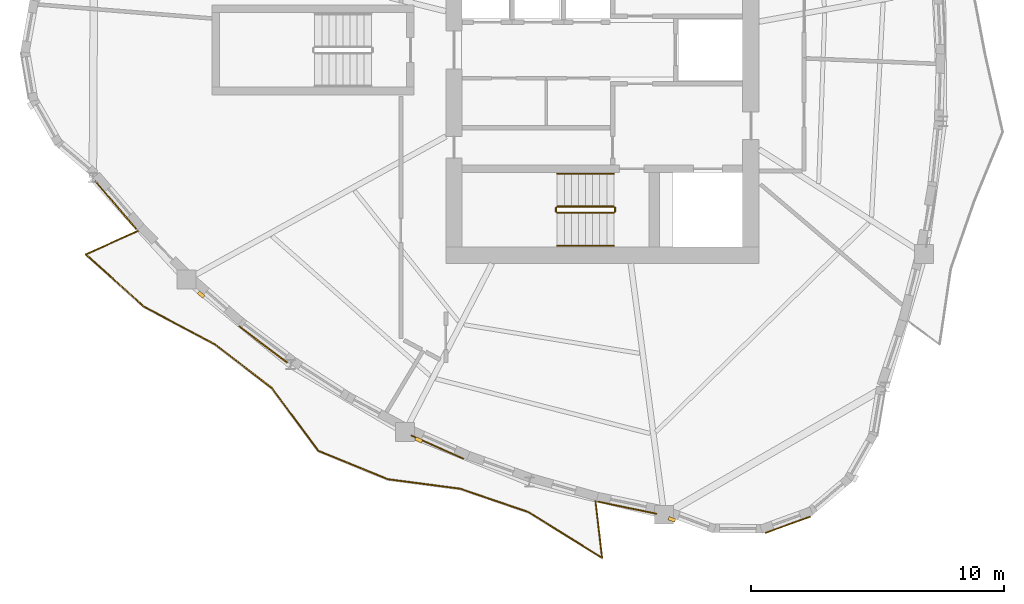
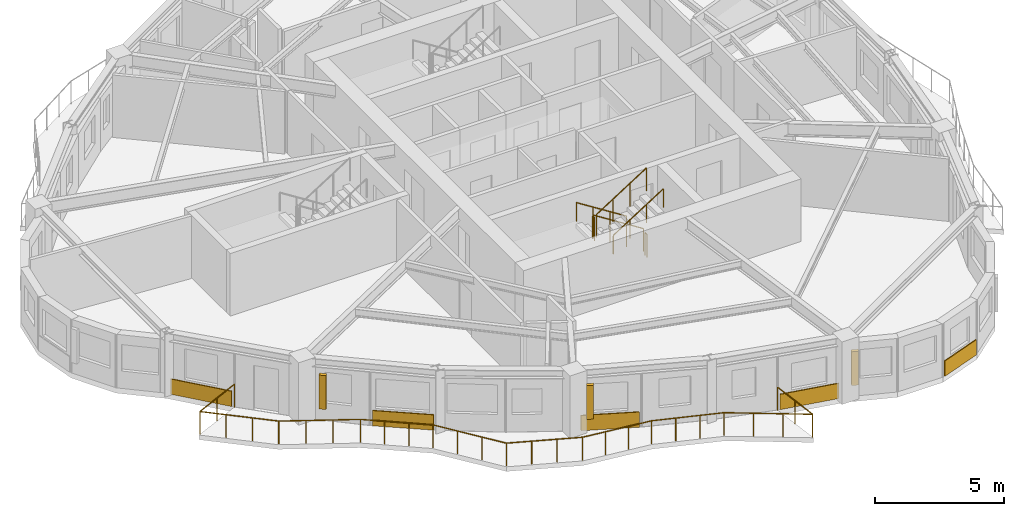
# One storey, part 8 of 11: 7 railings, 5 coverings, 3 shading devices.
"""IFC4 building model written with IfcOpenShell, lengths in metres."""

from ifc_helpers import new_model, si_unit, direction, frame, origin, origin_2d, place, context, subcontext, project, spatial, rectangle, circle, extrude, source, transform, mapped, material, layer, layer_set, type_object, element, save


model = new_model("IFC4")

# Units and contexts
model_context = context("Model", 3, precision=1e-05, world=origin(), true_north=direction((0.0, 1.0)))
body_context = subcontext(model_context, "Body", "Model", "MODEL_VIEW")
ifc_project = project(units=[si_unit("LENGTHUNIT", "METRE"), si_unit("AREAUNIT", "SQUARE_METRE"), si_unit("VOLUMEUNIT", "CUBIC_METRE"), si_unit("PLANEANGLEUNIT", "RADIAN"), si_unit("MASSUNIT", "GRAM", prefix="KILO")], contexts=[model_context])

# Site, building, storey
site_placement = place(None, origin())
site = spatial("IfcSite", under=ifc_project, at=site_placement, CompositionType="ELEMENT")
building_placement = place(site_placement, origin())
building = spatial("IfcBuilding", under=site, at=building_placement, Name="Qafzar Sky-Pleat Residences", CompositionType="ELEMENT")
storey_placement = place(building_placement, frame((0.0, 0.0, 165.0)))
storey = spatial("IfcBuildingStorey", under=building, at=storey_placement, Name="L49", CompositionType="ELEMENT", Elevation=165.0)

# Shading devices
ifc_material_1 = material(Name="Honed Riyadh limestone solar fin", Category="masonry")
ifc_layer_1 = layer(ifc_material_1, 0.139892578125)
ifc_layer_set_1 = layer_set([ifc_layer_1], Name="Honed Riyadh limestone solar fin")
shading_device_type = type_object("IfcShadingDeviceType", Name="SHD-FIN-STONE", PredefinedType="SHUTTER", material=ifc_layer_set_1)
shared_shape_1 = source(origin(), body_context, "Body", "SweptSolid", [
    extrude(rectangle(XDim=0.139892578125, YDim=0.280029296875, at=origin_2d()), origin(), (0.0, 0.0, 1.0), 1.60009765625),
])
for number, where, z_axis, x_axis, name in (
    (1, (14.465576171875, 16.3134765625, 0.599853515625), (0.0, 0.0, 1.0), (-0.660161310777, -0.751123853804, 0.0), "L49 Limestone Solar Fin 9"),
    (2, (23.079833984375, 10.56201171875, 0.599853515625), (0.0, 0.0, 1.0), (-0.407531944701, -0.91319095158, 0.0), "L49 Limestone Solar Fin 13"),
    (3, (33.09765625, 7.418212890625, 0.599853515625), (0.0, 0.0, 1.0), (-0.349591808799, -0.936902111867, 0.0), "L49 Limestone Solar Fin 17"),
):
    element("IfcShadingDevice", number, at=place(storey_placement, frame(where, z_axis=z_axis, x_axis=x_axis)), inside=storey, type_object=shading_device_type, Name=name, PredefinedType="SHUTTER", context=body_context, shape_type="MappedRepresentation", body=[
        mapped(shared_shape_1, transform((0.0, 0.0, 0.0), x_axis=(1.0, 0.0, 0.0), y_axis=(0.0, 1.0, 0.0), z_axis=(0.0, 0.0, 1.0), scale=1.0)),
    ])

# Covering
ifc_material_2 = material(Name="Honed Riyadh Tuwaiq limestone cladding", Category="masonry")
ifc_layer_2 = layer(ifc_material_2, 0.044921875)
ifc_layer_set_2 = layer_set([ifc_layer_2], Name="Honed Riyadh Tuwaiq limestone cladding")
covering_type = type_object("IfcCoveringType", Name="COV-CLAD-STONE", PredefinedType="CLADDING", material=ifc_layer_set_2)
shared_shape_2 = source(origin(), body_context, "Body", "SweptSolid", [
    extrude(rectangle(XDim=1.89794921875, YDim=0.044921875, at=origin_2d()), origin(), (0.0, 0.0, 1.0), 0.719970703125),
])
covering_1_placement = place(storey_placement, frame((37.690185546875, 7.207275390625, 0.02001953125), z_axis=(0.0, 0.0, 1.0), x_axis=(0.940231559433, 0.340535775867, 0.0)))
element("IfcCovering", 4, at=covering_1_placement, inside=storey, type_object=covering_type, Name="L49 Riyadh Limestone Spandrel Cladding 19", PredefinedType="CLADDING", context=body_context, shape_type="MappedRepresentation", body=[
    mapped(shared_shape_2, transform((0.0, 0.0, 0.0), x_axis=(1.0, 0.0, 0.0), y_axis=(0.0, 1.0, 0.0), z_axis=(0.0, 0.0, 1.0), scale=1.0)),
])

# Railing
ifc_material_3 = material(Name="Laminated glass and bronze steel balustrade", Category="steel")
railing_type_1 = type_object("IfcRailingType", Name="RAIL-BAL-1100", PredefinedType="BALUSTRADE", material=ifc_material_3)
shared_shape_3 = source(origin(), body_context, "Body", "SweptSolid", [
    extrude(circle(Radius=0.02392578125, at=origin_2d()), frame((0.0, 0.0, 1.076171875), z_axis=(-0.912922636526, -0.408132649659, 0.0), x_axis=(0.408132649659, -0.912922636526, 0.0)), (0.0, 0.0, 1.0), 2.270751953125),
    extrude(circle(Radius=0.02392578125, at=origin_2d()), frame((-2.072998046875, -0.9267578125, 1.076171875), z_axis=(0.743753716081, -0.668453745458, 0.0), x_axis=(0.668453745458, 0.743753716081, 0.0)), (0.0, 0.0, 1.0), 3.11572265625),
    extrude(circle(Radius=0.02392578125, at=origin_2d()), frame((0.244384765625, -3.009521484375, 1.076171875), z_axis=(0.883585037441, -0.468270735376, 0.0), x_axis=(0.468270735376, 0.883585037441, 0.0)), (0.0, 0.0, 1.0), 3.16259765625),
    extrude(circle(Radius=0.02392578125, at=origin_2d()), frame((3.038818359375, -4.490478515625, 1.076171875), z_axis=(0.793401199047, -0.608699053187, 0.0), x_axis=(0.608699053187, 0.793401199047, 0.0)), (0.0, 0.0, 1.0), 2.835205078125),
    extrude(circle(Radius=0.02392578125, at=origin_2d()), frame((5.288330078125, -6.21630859375, 1.076171875), z_axis=(0.594930822966, -0.803776906788, 0.0), x_axis=(0.803776906788, 0.594930822966, 0.0)), (0.0, 0.0, 1.0), 3.089599609375),
    extrude(circle(Radius=0.02392578125, at=origin_2d()), frame((7.12646484375, -8.69970703125, 1.076171875), z_axis=(0.925110963118, -0.379696860561, 0.0), x_axis=(0.379696860561, 0.925110963118, 0.0)), (0.0, 0.0, 1.0), 2.974365234375),
    extrude(circle(Radius=0.02392578125, at=origin_2d()), frame((9.878173828125, -9.8291015625, 1.076171875), z_axis=(0.991578756407, -0.129505095813, 0.0), x_axis=(0.129505095813, 0.991578756407, 0.0)), (0.0, 0.0, 1.0), 2.893798828125),
    extrude(circle(Radius=0.02392578125, at=origin_2d()), frame((12.74755859375, -10.203857421875, 1.076171875), z_axis=(0.945899410668, -0.324460020493, 0.0), x_axis=(0.324460020493, 0.945899410668, 0.0)), (0.0, 0.0, 1.0), 2.851806640625),
    extrude(circle(Radius=0.02392578125, at=origin_2d()), frame((15.445068359375, -11.129150390625, 1.076171875), z_axis=(0.849532496747, -0.52753628972, 0.0), x_axis=(0.52753628972, 0.849532496747, 0.0)), (0.0, 0.0, 1.0), 3.433837890625),
    extrude(circle(Radius=0.02392578125, at=origin_2d()), frame((18.3623046875, -12.940673828125, 1.076171875), z_axis=(-0.11536270651, 0.993323434711, 0.0), x_axis=(-0.993323434711, -0.11536270651, 0.0)), (0.0, 0.0, 1.0), 2.270751953125),
    extrude(circle(Radius=0.02099609375, at=origin_2d()), origin(), (0.0, 0.0, 1.0), 1.052001953125),
    extrude(circle(Radius=0.02099609375, at=origin_2d()), frame((-1.03662109375, -0.46337890625, 0.0)), (0.0, 0.0, 1.0), 1.052001953125),
    extrude(circle(Radius=0.02099609375, at=origin_2d()), frame((-2.072998046875, -0.9267578125, 0.0)), (0.0, 0.0, 1.0), 1.052001953125),
    extrude(circle(Radius=0.02099609375, at=origin_2d()), frame((-1.300537109375, -1.62109375, 0.0)), (0.0, 0.0, 1.0), 1.052001953125),
    extrude(circle(Radius=0.02099609375, at=origin_2d()), frame((-0.528076171875, -2.315185546875, 0.0)), (0.0, 0.0, 1.0), 1.052001953125),
    extrude(circle(Radius=0.02099609375, at=origin_2d()), frame((0.244384765625, -3.009521484375, 0.0)), (0.0, 0.0, 1.0), 1.052001953125),
    extrude(circle(Radius=0.02099609375, at=origin_2d()), frame((1.17578125, -3.503173828125, 0.0)), (0.0, 0.0, 1.0), 1.052001953125),
    extrude(circle(Radius=0.02099609375, at=origin_2d()), frame((2.107421875, -3.996826171875, 0.0)), (0.0, 0.0, 1.0), 1.052001953125),
    extrude(circle(Radius=0.02099609375, at=origin_2d()), frame((3.038818359375, -4.490478515625, 0.0)), (0.0, 0.0, 1.0), 1.052001953125),
    extrude(circle(Radius=0.02099609375, at=origin_2d()), frame((3.78857421875, -5.065673828125, 0.0)), (0.0, 0.0, 1.0), 1.052001953125),
    extrude(circle(Radius=0.02099609375, at=origin_2d()), frame((4.53857421875, -5.64111328125, 0.0)), (0.0, 0.0, 1.0), 1.052001953125),
    extrude(circle(Radius=0.02099609375, at=origin_2d()), frame((5.288330078125, -6.21630859375, 0.0)), (0.0, 0.0, 1.0), 1.052001953125),
    extrude(circle(Radius=0.02099609375, at=origin_2d()), frame((5.901123046875, -7.044189453125, 0.0)), (0.0, 0.0, 1.0), 1.052001953125),
    extrude(circle(Radius=0.02099609375, at=origin_2d()), frame((6.513671875, -7.871826171875, 0.0)), (0.0, 0.0, 1.0), 1.052001953125),
    extrude(circle(Radius=0.02099609375, at=origin_2d()), frame((7.12646484375, -8.69970703125, 0.0)), (0.0, 0.0, 1.0), 1.052001953125),
    extrude(circle(Radius=0.02099609375, at=origin_2d()), frame((8.043701171875, -9.076171875, 0.0)), (0.0, 0.0, 1.0), 1.052001953125),
    extrude(circle(Radius=0.02099609375, at=origin_2d()), frame((8.9609375, -9.45263671875, 0.0)), (0.0, 0.0, 1.0), 1.052001953125),
    extrude(circle(Radius=0.02099609375, at=origin_2d()), frame((9.878173828125, -9.8291015625, 0.0)), (0.0, 0.0, 1.0), 1.052001953125),
    extrude(circle(Radius=0.02099609375, at=origin_2d()), frame((10.834716796875, -9.9541015625, 0.0)), (0.0, 0.0, 1.0), 1.052001953125),
    extrude(circle(Radius=0.02099609375, at=origin_2d()), frame((11.791015625, -10.078857421875, 0.0)), (0.0, 0.0, 1.0), 1.052001953125),
    extrude(circle(Radius=0.02099609375, at=origin_2d()), frame((12.74755859375, -10.203857421875, 0.0)), (0.0, 0.0, 1.0), 1.052001953125),
    extrude(circle(Radius=0.02099609375, at=origin_2d()), frame((13.646728515625, -10.51220703125, 0.0)), (0.0, 0.0, 1.0), 1.052001953125),
    extrude(circle(Radius=0.02099609375, at=origin_2d()), frame((14.5458984375, -10.82080078125, 0.0)), (0.0, 0.0, 1.0), 1.052001953125),
    extrude(circle(Radius=0.02099609375, at=origin_2d()), frame((15.445068359375, -11.129150390625, 0.0)), (0.0, 0.0, 1.0), 1.052001953125),
    extrude(circle(Radius=0.02099609375, at=origin_2d()), frame((16.41748046875, -11.73291015625, 0.0)), (0.0, 0.0, 1.0), 1.052001953125),
    extrude(circle(Radius=0.02099609375, at=origin_2d()), frame((17.389892578125, -12.3369140625, 0.0)), (0.0, 0.0, 1.0), 1.052001953125),
    extrude(circle(Radius=0.02099609375, at=origin_2d()), frame((18.3623046875, -12.940673828125, 0.0)), (0.0, 0.0, 1.0), 1.052001953125),
    extrude(circle(Radius=0.02099609375, at=origin_2d()), frame((18.2314453125, -11.81298828125, 0.0)), (0.0, 0.0, 1.0), 1.052001953125),
    extrude(circle(Radius=0.02099609375, at=origin_2d()), frame((18.100341796875, -10.68505859375, 0.0)), (0.0, 0.0, 1.0), 1.052001953125),
])
railing_1_placement = place(storey_placement, frame((11.973388671875, 18.8369140625, 0.0)))
element("IfcRailing", 5, at=railing_1_placement, inside=storey, type_object=railing_type_1, Name="L49 Pleated Balcony 3 Balustrade", PredefinedType="BALUSTRADE", context=body_context, shape_type="MappedRepresentation", body=[
    mapped(shared_shape_3, transform((0.0, 0.0, 0.0), x_axis=(1.0, 0.0, 0.0), y_axis=(0.0, 1.0, 0.0), z_axis=(0.0, 0.0, 1.0), scale=1.0)),
])

# Coverings
shared_shape_4 = source(origin(), body_context, "Body", "SweptSolid", [
    extrude(rectangle(XDim=2.513671875, YDim=0.044921875, at=origin_2d()), origin(), (0.0, 0.0, 1.0), 0.719970703125),
])
covering_2_placement = place(storey_placement, frame((11.08447265625, 19.859375, 0.02001953125), z_axis=(0.0, 0.0, 1.0), x_axis=(0.650295858087, -0.75968104949, 0.0)))
element("IfcCovering", 6, at=covering_2_placement, inside=storey, type_object=covering_type, Name="L49 Riyadh Limestone Spandrel Cladding 7", PredefinedType="CLADDING", context=body_context, shape_type="MappedRepresentation", body=[
    mapped(shared_shape_4, transform((0.0, 0.0, 0.0), x_axis=(1.0, 0.0, 0.0), y_axis=(0.0, 1.0, 0.0), z_axis=(0.0, 0.0, 1.0), scale=1.0)),
])
shared_shape_5 = source(origin(), body_context, "Body", "SweptSolid", [
    extrude(rectangle(XDim=2.39453125, YDim=0.044921875, at=origin_2d()), origin(), (0.0, 0.0, 1.0), 0.719970703125),
])
covering_3_placement = place(storey_placement, frame((16.915771484375, 14.344970703125, 0.02001953125), z_axis=(0.0, 0.0, 1.0), x_axis=(0.798011120233, -0.602642723332, 0.0)))
element("IfcCovering", 7, at=covering_3_placement, inside=storey, type_object=covering_type, Name="L49 Riyadh Limestone Spandrel Cladding 10", PredefinedType="CLADDING", context=body_context, shape_type="MappedRepresentation", body=[
    mapped(shared_shape_5, transform((0.0, 0.0, 0.0), x_axis=(1.0, 0.0, 0.0), y_axis=(0.0, 1.0, 0.0), z_axis=(0.0, 0.0, 1.0), scale=1.0)),
])
shared_shape_6 = source(origin(), body_context, "Body", "SweptSolid", [
    extrude(rectangle(XDim=2.27294921875, YDim=0.044921875, at=origin_2d()), origin(), (0.0, 0.0, 1.0), 0.719970703125),
])
covering_4_placement = place(storey_placement, frame((23.814208984375, 10.281494140625, 0.02001953125), z_axis=(0.0, 0.0, 1.0), x_axis=(0.913196566474, -0.407519362705, 0.0)))
element("IfcCovering", 8, at=covering_4_placement, inside=storey, type_object=covering_type, Name="L49 Riyadh Limestone Spandrel Cladding 13", PredefinedType="CLADDING", context=body_context, shape_type="MappedRepresentation", body=[
    mapped(shared_shape_6, transform((0.0, 0.0, 0.0), x_axis=(1.0, 0.0, 0.0), y_axis=(0.0, 1.0, 0.0), z_axis=(0.0, 0.0, 1.0), scale=1.0)),
])
shared_shape_7 = source(origin(), body_context, "Body", "SweptSolid", [
    extrude(rectangle(XDim=2.39208984375, YDim=0.044921875, at=origin_2d()), origin(), (0.0, 0.0, 1.0), 0.719970703125),
])
covering_5_placement = place(storey_placement, frame((31.33203125, 7.881103515625, 0.02001953125), z_axis=(0.0, 0.0, 1.0), x_axis=(0.979307497753, -0.202377925784, 0.0)))
element("IfcCovering", 9, at=covering_5_placement, inside=storey, type_object=covering_type, Name="L49 Riyadh Limestone Spandrel Cladding 16", PredefinedType="CLADDING", context=body_context, shape_type="MappedRepresentation", body=[
    mapped(shared_shape_7, transform((0.0, 0.0, 0.0), x_axis=(1.0, 0.0, 0.0), y_axis=(0.0, 1.0, 0.0), z_axis=(0.0, 0.0, 1.0), scale=1.0)),
])

# Railings
ifc_material_4 = material(Name="Painted Steel S355 stair guardrail", Category="steel")
railing_type_2 = type_object("IfcRailingType", Name="RAIL-STAIR-GUARD", PredefinedType="GUARDRAIL", material=ifc_material_4)
shared_shape_8 = source(origin(), body_context, "Body", "SweptSolid", [
    extrude(circle(Radius=0.02392578125, at=origin_2d()), frame((0.0, 0.0, 1.076171875), z_axis=(0.0, -1.0, 0.0), x_axis=(1.0, 0.0, 0.0)), (0.0, 0.0, 1.0), 0.14990234375),
    extrude(circle(Radius=0.02099609375, at=origin_2d()), origin(), (0.0, 0.0, 1.0), 1.052001953125),
    extrude(circle(Radius=0.02099609375, at=origin_2d()), frame((0.0, -0.14990234375, 0.0)), (0.0, 0.0, 1.0), 1.052001953125),
])
for number, where, name in (
    (10, (28.510009765625, 19.75, 1.60009765625), "L49 ST1 stair guard 2"),
    (11, (30.85009765625, 19.75, 0.0), "L49 ST1 stair guard 4"),
):
    element("IfcRailing", number, at=place(storey_placement, frame(where)), inside=storey, type_object=railing_type_2, Name=name, PredefinedType="GUARDRAIL", context=body_context, shape_type="MappedRepresentation", body=[
        mapped(shared_shape_8, transform((0.0, 0.0, 0.0), x_axis=(1.0, 0.0, 0.0), y_axis=(0.0, 1.0, 0.0), z_axis=(0.0, 0.0, 1.0), scale=1.0)),
    ])
shared_shape_9 = source(origin(), body_context, "Body", "SweptSolid", [
    extrude(circle(Radius=0.02392578125, at=origin_2d()), frame((0.0, 0.0, 1.076171875), z_axis=(0.8442293374, 0.0, 0.53598211339), x_axis=(0.0, 1.0, 0.0)), (0.0, 0.0, 1.0), 2.6533203125),
    extrude(circle(Radius=0.02099609375, at=origin_2d()), origin(), (0.0, 0.0, 1.0), 1.052001953125),
    extrude(circle(Radius=0.02099609375, at=origin_2d()), frame((0.74658203125, 0.0, 0.47412109375)), (0.0, 0.0, 1.0), 1.052001953125),
    extrude(circle(Radius=0.02099609375, at=origin_2d()), frame((1.493408203125, 0.0, 0.947998046875)), (0.0, 0.0, 1.0), 1.052001953125),
    extrude(circle(Radius=0.02099609375, at=origin_2d()), frame((2.239990234375, 0.0, 1.422119140625)), (0.0, 0.0, 1.0), 1.052001953125),
])
railing_2_placement = place(storey_placement, frame((28.56005859375, 19.550048828125, 1.77783203125)))
element("IfcRailing", 12, at=railing_2_placement, inside=storey, type_object=railing_type_2, Name="L49 ST1 stair guard 3", PredefinedType="GUARDRAIL", context=body_context, shape_type="MappedRepresentation", body=[
    mapped(shared_shape_9, transform((0.0, 0.0, 0.0), x_axis=(1.0, 0.0, 0.0), y_axis=(0.0, 1.0, 0.0), z_axis=(0.0, 0.0, 1.0), scale=1.0)),
])
ifc_material_5 = material(Name="Brushed stainless steel handrail", Category="steel")
railing_type_3 = type_object("IfcRailingType", Name="RAIL-STAIR-HAND", PredefinedType="HANDRAIL", material=ifc_material_5)
shared_shape_10 = source(origin(), body_context, "Body", "SweptSolid", [
    extrude(circle(Radius=0.02392578125, at=origin_2d()), frame((0.0, 0.0, 0.8759765625), z_axis=(0.8442293374, 0.0, 0.53598211339), x_axis=(0.0, 1.0, 0.0)), (0.0, 0.0, 1.0), 2.6533203125),
    extrude(circle(Radius=0.02099609375, at=origin_2d()), origin(), (0.0, 0.0, 1.0), 0.851806640625),
    extrude(circle(Radius=0.02099609375, at=origin_2d()), frame((0.74658203125, 0.0, 0.47412109375)), (0.0, 0.0, 1.0), 0.851806640625),
    extrude(circle(Radius=0.02099609375, at=origin_2d()), frame((1.493408203125, 0.0, 0.947998046875)), (0.0, 0.0, 1.0), 0.851806640625),
    extrude(circle(Radius=0.02099609375, at=origin_2d()), frame((2.239990234375, 0.0, 1.422119140625)), (0.0, 0.0, 1.0), 0.851806640625),
])
railing_3_placement = place(storey_placement, frame((28.56005859375, 18.25, 1.77783203125)))
element("IfcRailing", 13, at=railing_3_placement, inside=storey, type_object=railing_type_3, Name="L49 ST1 stair handrail 2", PredefinedType="HANDRAIL", context=body_context, shape_type="MappedRepresentation", body=[
    mapped(shared_shape_10, transform((0.0, 0.0, 0.0), x_axis=(1.0, 0.0, 0.0), y_axis=(0.0, 1.0, 0.0), z_axis=(0.0, 0.0, 1.0), scale=1.0)),
])
shared_shape_11 = source(origin(), body_context, "Body", "SweptSolid", [
    extrude(circle(Radius=0.02392578125, at=origin_2d()), frame((0.0, 0.0, 1.076171875), z_axis=(-0.84418770128, 0.0, 0.536047689118), x_axis=(0.0, -1.0, 0.0)), (0.0, 0.0, 1.0), 2.6533203125),
    extrude(circle(Radius=0.02099609375, at=origin_2d()), origin(), (0.0, 0.0, 1.0), 1.052001953125),
    extrude(circle(Radius=0.02099609375, at=origin_2d()), frame((-0.74658203125, 0.0, 0.47412109375)), (0.0, 0.0, 1.0), 1.052001953125),
    extrude(circle(Radius=0.02099609375, at=origin_2d()), frame((-1.493408203125, 0.0, 0.9482421875)), (0.0, 0.0, 1.0), 1.052001953125),
    extrude(circle(Radius=0.02099609375, at=origin_2d()), frame((-2.239990234375, 0.0, 1.42236328125)), (0.0, 0.0, 1.0), 1.052001953125),
])
railing_4_placement = place(storey_placement, frame((30.800048828125, 19.800048828125, 0.177734375)))
element("IfcRailing", 14, at=railing_4_placement, inside=storey, type_object=railing_type_2, Name="L49 ST1 stair guard 1", PredefinedType="GUARDRAIL", context=body_context, shape_type="MappedRepresentation", body=[
    mapped(shared_shape_11, transform((0.0, 0.0, 0.0), x_axis=(1.0, 0.0, 0.0), y_axis=(0.0, 1.0, 0.0), z_axis=(0.0, 0.0, 1.0), scale=1.0)),
])
shared_shape_12 = source(origin(), body_context, "Body", "SweptSolid", [
    extrude(circle(Radius=0.02392578125, at=origin_2d()), frame((0.0, 0.0, 0.8759765625), z_axis=(-0.84418770128, 0.0, 0.536047689118), x_axis=(0.0, -1.0, 0.0)), (0.0, 0.0, 1.0), 2.6533203125),
    extrude(circle(Radius=0.02099609375, at=origin_2d()), origin(), (0.0, 0.0, 1.0), 0.851806640625),
    extrude(circle(Radius=0.02099609375, at=origin_2d()), frame((-0.74658203125, 0.0, 0.47412109375)), (0.0, 0.0, 1.0), 0.851806640625),
    extrude(circle(Radius=0.02099609375, at=origin_2d()), frame((-1.493408203125, 0.0, 0.9482421875)), (0.0, 0.0, 1.0), 0.851806640625),
    extrude(circle(Radius=0.02099609375, at=origin_2d()), frame((-2.239990234375, 0.0, 1.42236328125)), (0.0, 0.0, 1.0), 0.851806640625),
])
railing_5_placement = place(storey_placement, frame((30.800048828125, 21.10009765625, 0.177734375)))
element("IfcRailing", 15, at=railing_5_placement, inside=storey, type_object=railing_type_3, Name="L49 ST1 stair handrail 1", PredefinedType="HANDRAIL", context=body_context, shape_type="MappedRepresentation", body=[
    mapped(shared_shape_12, transform((0.0, 0.0, 0.0), x_axis=(1.0, 0.0, 0.0), y_axis=(0.0, 1.0, 0.0), z_axis=(0.0, 0.0, 1.0), scale=1.0)),
])

save(model, "model.ifc")
